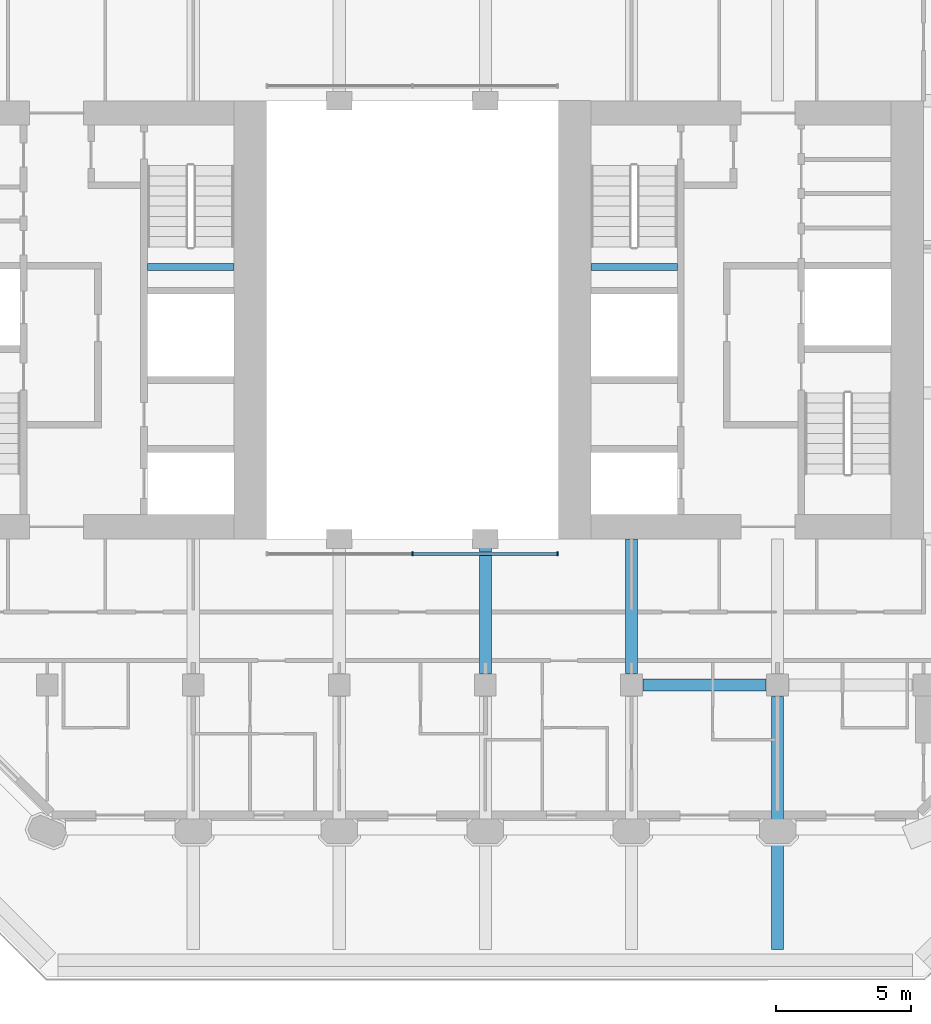
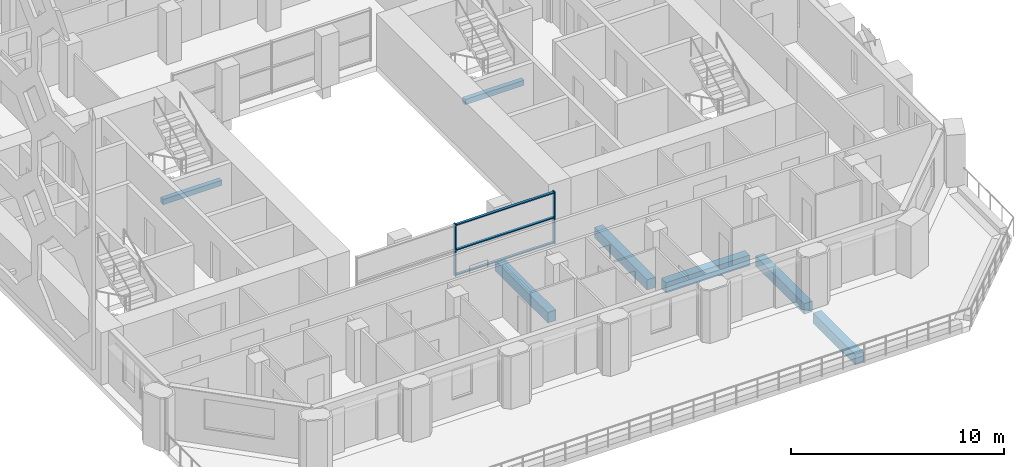
# One storey, part 4 of 17: 7 beams, 5 members, 1 element without a shape of its own.
"""IFC4 building model written with IfcOpenShell, lengths in metres."""

from ifc_helpers import new_model, si_unit, direction, frame, origin, origin_2d, place, context, subcontext, project, spatial, rectangle, extrude, material, material_profile, profile_set, type_object, element, aggregate, save


model = new_model("IFC4")

# Units and contexts
model_context = context("Model", 3, precision=1e-05, world=origin(), true_north=direction((0.0, 1.0)))
body_context = subcontext(model_context, "Body", "Model", "MODEL_VIEW")
ifc_project = project(units=[si_unit("LENGTHUNIT", "METRE"), si_unit("AREAUNIT", "SQUARE_METRE"), si_unit("VOLUMEUNIT", "CUBIC_METRE"), si_unit("PLANEANGLEUNIT", "RADIAN"), si_unit("MASSUNIT", "GRAM", prefix="KILO")], contexts=[model_context])

# Site, building, storey
site_placement = place(None, origin())
site = spatial("IfcSite", under=ifc_project, at=site_placement, CompositionType="ELEMENT")
building_placement = place(site_placement, origin())
building = spatial("IfcBuilding", under=site, at=building_placement, Name="Tabaq Tower and Sports Hall", CompositionType="ELEMENT")
storey_placement = place(building_placement, frame((0.0, 0.0, 180.699951171875)))
storey = spatial("IfcBuildingStorey", under=building, at=storey_placement, Name="L43", CompositionType="ELEMENT", Elevation=180.699951171875)

# Curtain wall, members
ifc_material_1 = material(Name="Aluminium alloy 6063-T6 framed glazing", Category="aluminium")
curtain_wall_type = type_object("IfcCurtainWallType", Name="CW1 curtain wall", PredefinedType="USERDEFINED", material=ifc_material_1)
curtain_wall_placement = place(storey_placement, origin())
curtain_wall = element("IfcCurtainWall", 1, at=curtain_wall_placement, inside=storey, type_object=curtain_wall_type, Name="Atrium glazing L43 S", ObjectType="ATRIUM ENCLOSURE", PredefinedType="USERDEFINED")
ifc_material_2 = material(Name="Aluminium alloy 6063-T6", Category="aluminium")
ifc_material_profile_1 = material_profile(ifc_material_2, rectangle(XDim=0.159912109375, YDim=0.06005859375, at=origin_2d()), Name="MULLION 160x60")
ifc_profile_set_1 = profile_set([ifc_material_profile_1], Name="Aluminium alloy 6063-T6")
member_type_1 = type_object("IfcMemberType", Name="CW1 mullion 160x60", PredefinedType="MULLION", material=ifc_profile_set_1)
member_1_placement = place(storey_placement, frame((24.300048828125, 15.64990234375, 0.0), z_axis=(0.0, 0.0, 1.0), x_axis=(0.0, 1.0, 0.0)))
member_1 = element("IfcMember", 2, at=member_1_placement, type_object=member_type_1, Name="CW1 mullion 2", PredefinedType="MULLION", context=body_context, shape_type="SweptSolid", body=[
    extrude(rectangle(XDim=0.159912109375, YDim=0.06005859375, at=origin_2d()), origin(), (0.0, 0.0, 1.0), 3.0),
])
member_2_placement = place(storey_placement, frame((29.669921875, 15.64990234375, 0.0), z_axis=(0.0, 0.0, 1.0), x_axis=(0.0, 1.0, 0.0)))
member_2 = element("IfcMember", 3, at=member_2_placement, type_object=member_type_1, Name="CW1 mullion 3", PredefinedType="MULLION", context=body_context, shape_type="SweptSolid", body=[
    extrude(rectangle(XDim=0.159912109375, YDim=0.06005859375, at=origin_2d()), origin(), (0.0, 0.0, 1.0), 3.0),
])
ifc_material_3 = material(Name="Aluminium alloy 6063-T6", Category="aluminium")
ifc_material_profile_2 = material_profile(ifc_material_3, rectangle(XDim=0.139892578125, YDim=0.06005859375, at=origin_2d()), Name="TRANSOM 140x60")
ifc_profile_set_2 = profile_set([ifc_material_profile_2], Name="Aluminium alloy 6063-T6")
member_type_2 = type_object("IfcMemberType", Name="CW1 transom 140x60", PredefinedType="USERDEFINED", material=ifc_profile_set_2)
member_3_placement = place(storey_placement, frame((24.330078125, 15.64990234375, 0.070068359375), z_axis=(1.0, 0.0, 0.0), x_axis=(0.0, 1.0, 0.0)))
member_3 = element("IfcMember", 4, at=member_3_placement, type_object=member_type_2, Name="CW1 transom 2.1", ObjectType="TRANSOM", PredefinedType="USERDEFINED", context=body_context, shape_type="SweptSolid", body=[
    extrude(rectangle(XDim=0.139892578125, YDim=0.06005859375, at=origin_2d()), origin(), (0.0, 0.0, 1.0), 5.309814453125),
])
member_4_placement = place(storey_placement, frame((24.330078125, 15.64990234375, 1.5), z_axis=(1.0, 0.0, 0.0), x_axis=(0.0, 1.0, 0.0)))
member_4 = element("IfcMember", 5, at=member_4_placement, type_object=member_type_2, Name="CW1 transom 2.2", ObjectType="TRANSOM", PredefinedType="USERDEFINED", context=body_context, shape_type="SweptSolid", body=[
    extrude(rectangle(XDim=0.139892578125, YDim=0.06005859375, at=origin_2d()), origin(), (0.0, 0.0, 1.0), 5.309814453125),
])
member_5_placement = place(storey_placement, frame((24.330078125, 15.64990234375, 2.929931640625), z_axis=(1.0, 0.0, 0.0), x_axis=(0.0, 1.0, 0.0)))
member_5 = element("IfcMember", 6, at=member_5_placement, type_object=member_type_2, Name="CW1 transom 2.3", ObjectType="TRANSOM", PredefinedType="USERDEFINED", context=body_context, shape_type="SweptSolid", body=[
    extrude(rectangle(XDim=0.139892578125, YDim=0.06005859375, at=origin_2d()), origin(), (0.0, 0.0, 1.0), 5.309814453125),
])
aggregate(curtain_wall, [member_1, member_2, member_3, member_4, member_5])

# Beams
ifc_material_4 = material(Name="Concrete C40/50", Category="concrete")
ifc_material_profile_3 = material_profile(ifc_material_4, rectangle(XDim=0.449951171875, YDim=0.60009765625, at=origin_2d()), Name="CB 450x600")
ifc_profile_set_3 = profile_set([ifc_material_profile_3], Name="Concrete C40/50")
beam_type_1 = type_object("IfcBeamType", Name="PT CANTILEVER BEAM CB 450x600 C40/50", PredefinedType="BEAM", material=ifc_profile_set_3)
beam_1_placement = place(storey_placement, frame((37.375, 10.800048828125, -0.599853515625), z_axis=(-1.0, 0.0, 0.0), x_axis=(0.0, -1.0, 0.0)))
element("IfcBeam", 7, at=beam_1_placement, inside=storey, type_object=beam_type_1, Name="Cantilever Beam L43 E2 span 3", PredefinedType="BEAM", context=body_context, shape_type="SweptSolid", body=[
    extrude(rectangle(XDim=0.449951171875, YDim=0.60009765625, at=origin_2d()), origin(), (0.0, 0.0, 1.0), 4.550048828125),
])
for number, where, z_axis, x_axis, name in (
    (8, (27.0, 11.22509765625, -0.599853515625), (0.0, 1.0, 0.0), (-1.0, 0.0, 0.0), "Cantilever Beam L43 S5 span 3"),
    (9, (32.39990234375, 11.22509765625, -0.599853515625), (0.0, 1.0, 0.0), (-1.0, 0.0, 0.0), "Cantilever Beam L43 S6 span 3"),
):
    element("IfcBeam", number, at=place(storey_placement, frame(where, z_axis=z_axis, x_axis=x_axis)), inside=storey, type_object=beam_type_1, Name=name, PredefinedType="BEAM", context=body_context, shape_type="SweptSolid", body=[
        extrude(rectangle(XDim=0.449951171875, YDim=0.60009765625, at=origin_2d()), origin(), (0.0, 0.0, 1.0), 4.974853515625),
    ])
beam_2_placement = place(storey_placement, frame((37.800048828125, 1.02490234375, -0.599853515625), z_axis=(0.0, 1.0, 0.0), x_axis=(-1.0, 0.0, 0.0)))
element("IfcBeam", 10, at=beam_2_placement, inside=storey, type_object=beam_type_1, Name="Cantilever Beam L43 S7 span 1", PredefinedType="BEAM", context=body_context, shape_type="SweptSolid", body=[
    extrude(rectangle(XDim=0.449951171875, YDim=0.60009765625, at=origin_2d()), origin(), (0.0, 0.0, 1.0), 3.9501953125),
])
beam_3_placement = place(storey_placement, frame((37.800048828125, 5.824951171875, -0.599853515625), z_axis=(0.0, 1.0, 0.0), x_axis=(-1.0, 0.0, 0.0)))
element("IfcBeam", 11, at=beam_3_placement, inside=storey, type_object=beam_type_1, Name="Cantilever Beam L43 S7 span 2", PredefinedType="BEAM", context=body_context, shape_type="SweptSolid", body=[
    extrude(rectangle(XDim=0.449951171875, YDim=0.60009765625, at=origin_2d()), origin(), (0.0, 0.0, 1.0), 4.550048828125),
])
ifc_material_5 = material(Name="Concrete C40/50", Category="concrete")
ifc_material_profile_4 = material_profile(ifc_material_5, rectangle(XDim=0.25, YDim=0.300048828125, at=origin_2d()), Name="RC 250x300")
ifc_profile_set_4 = profile_set([ifc_material_profile_4], Name="Concrete C40/50")
beam_type_2 = type_object("IfcBeamType", Name="Stair landing beam 250x300", PredefinedType="BEAM", material=ifc_profile_set_4)
beam_4_placement = place(storey_placement, frame((14.5, 26.25, 1.300048828125), z_axis=(1.0, 0.0, 0.0), x_axis=(0.0, 1.0, 0.0)))
element("IfcBeam", 12, at=beam_4_placement, inside=storey, type_object=beam_type_2, Name="L43 ST2 landing beam 1", PredefinedType="BEAM", context=body_context, shape_type="SweptSolid", body=[
    extrude(rectangle(XDim=0.25, YDim=0.300048828125, at=origin_2d()), origin(), (0.0, 0.0, 1.0), 3.199951171875),
])
beam_5_placement = place(storey_placement, frame((30.89990234375, 26.25, 1.300048828125), z_axis=(1.0, 0.0, 0.0), x_axis=(0.0, 1.0, 0.0)))
element("IfcBeam", 13, at=beam_5_placement, inside=storey, type_object=beam_type_2, Name="L43 ST4 landing beam 1", PredefinedType="BEAM", context=body_context, shape_type="SweptSolid", body=[
    extrude(rectangle(XDim=0.25, YDim=0.300048828125, at=origin_2d()), origin(), (0.0, 0.0, 1.0), 3.2001953125),
])

save(model, "model.ifc")
